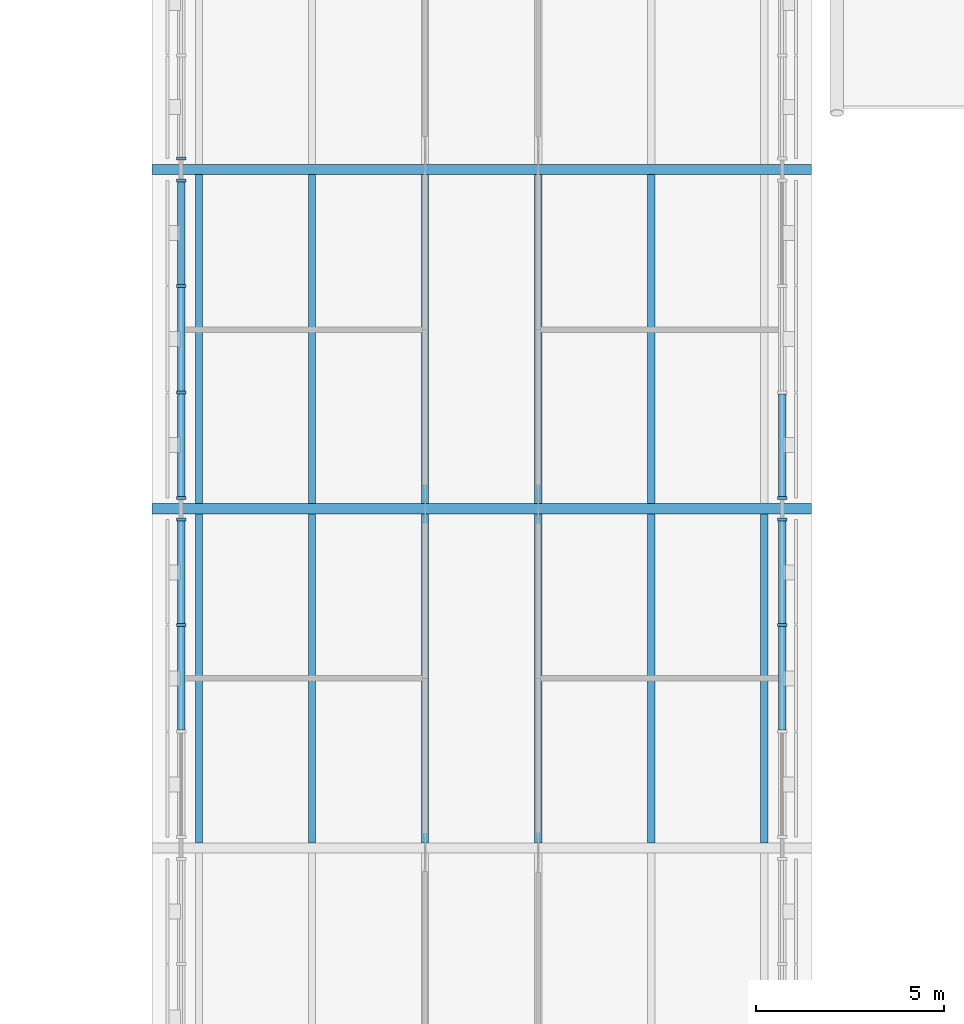
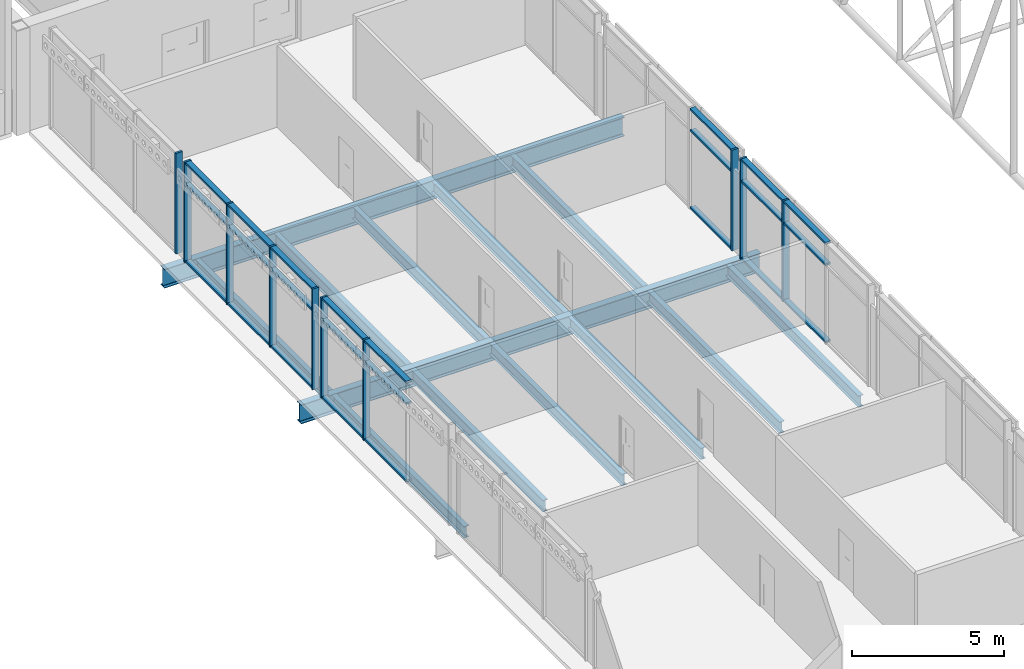
# One storey, part 27 of 153: 34 members, 13 beams, 5 elements without a shape of their own.
"""IFC4 building model written with IfcOpenShell, lengths in metres."""

from ifc_helpers import new_model, si_unit, direction, frame, origin, origin_2d, place, context, subcontext, project, spatial, rectangle, i_section, extrude, material, material_profile, profile_set, type_object, element, aggregate, save


model = new_model("IFC4")

# Units and contexts
model_context = context("Model", 3, precision=1e-05, world=origin(), true_north=direction((0.0, 1.0)))
body_context = subcontext(model_context, "Body", "Model", "MODEL_VIEW")
ifc_project = project(units=[si_unit("LENGTHUNIT", "METRE"), si_unit("AREAUNIT", "SQUARE_METRE"), si_unit("VOLUMEUNIT", "CUBIC_METRE"), si_unit("PLANEANGLEUNIT", "RADIAN"), si_unit("MASSUNIT", "GRAM", prefix="KILO")], contexts=[model_context])

# Site, building, storey
site_placement = place(None, origin())
site = spatial("IfcSite", under=ifc_project, at=site_placement, CompositionType="ELEMENT")
building_placement = place(site_placement, origin())
building = spatial("IfcBuilding", under=site, at=building_placement, Name="Baradari Gate Terminus", CompositionType="ELEMENT")
storey_placement = place(building_placement, frame((0.0, 0.0, 11.699951171875)))
storey = spatial("IfcBuildingStorey", under=building, at=storey_placement, Name="L02", CompositionType="ELEMENT", Elevation=11.699951171875)

# Curtain wall, members
ifc_material_1 = material(Name="Aluminium 6063-T6", Category="aluminium")
curtain_wall_type = type_object("IfcCurtainWallType", Name="Curtain wall CW-3 gate face, office floors", PredefinedType="NOTDEFINED", material=ifc_material_1)
curtain_wall_1_placement = place(storey_placement, origin())
curtain_wall_1 = element("IfcCurtainWall", 1, at=curtain_wall_1_placement, inside=storey, type_object=curtain_wall_type, Name="Curtain wall CW-3 gate west face L02 bay 3", PredefinedType="NOTDEFINED")
ifc_material_2 = material(Name="Aluminium 6063-T6", Category="aluminium")
ifc_material_profile_1 = material_profile(ifc_material_2, rectangle(XDim=0.25, YDim=0.080078125, at=origin_2d()), Name="CM-3 80X250")
ifc_profile_set_1 = profile_set([ifc_material_profile_1], Name="Aluminium 6063-T6")
member_type_1 = type_object("IfcMemberType", Name="Curtain wall mullion CM-3 80x250", PredefinedType="MULLION", material=ifc_profile_set_1)
member_1_placement = place(storey_placement, frame((73.02490234375, 59.916748046875, 0.0), z_axis=(0.0, 0.0, 1.0), x_axis=(-1.0, 0.0, 0.0)))
member_1 = element("IfcMember", 2, at=member_1_placement, type_object=member_type_1, Name="CW-3 mullion 3", PredefinedType="MULLION", context=body_context, shape_type="SweptSolid", body=[
    extrude(rectangle(XDim=0.25, YDim=0.080078125, at=origin_2d()), origin(), (0.0, 0.0, 1.0), 4.050048828125),
])
member_2_placement = place(storey_placement, frame((73.02490234375, 62.7099609375, 0.0), z_axis=(0.0, 0.0, 1.0), x_axis=(-1.0, 0.0, 0.0)))
member_2 = element("IfcMember", 3, at=member_2_placement, type_object=member_type_1, Name="CW-3 mullion 4", PredefinedType="MULLION", context=body_context, shape_type="SweptSolid", body=[
    extrude(rectangle(XDim=0.25, YDim=0.080078125, at=origin_2d()), origin(), (0.0, 0.0, 1.0), 4.050048828125),
])

curtain_wall_2_placement = place(storey_placement, origin())
curtain_wall_2 = element("IfcCurtainWall", 4, at=curtain_wall_2_placement, inside=storey, type_object=curtain_wall_type, Name="Curtain wall CW-3 gate west face L02 bay 4", PredefinedType="NOTDEFINED")
member_3_placement = place(storey_placement, frame((73.02490234375, 63.2900390625, 0.0), z_axis=(0.0, 0.0, 1.0), x_axis=(-1.0, 0.0, 0.0)))
member_3 = element("IfcMember", 5, at=member_3_placement, type_object=member_type_1, Name="CW-3 mullion 1", PredefinedType="MULLION", context=body_context, shape_type="SweptSolid", body=[
    extrude(rectangle(XDim=0.25, YDim=0.080078125, at=origin_2d()), origin(), (0.0, 0.0, 1.0), 4.050048828125),
])
member_4_placement = place(storey_placement, frame((73.02490234375, 66.083251953125, 0.0), z_axis=(0.0, 0.0, 1.0), x_axis=(-1.0, 0.0, 0.0)))
member_4 = element("IfcMember", 6, at=member_4_placement, type_object=member_type_1, Name="CW-3 mullion 2", PredefinedType="MULLION", context=body_context, shape_type="SweptSolid", body=[
    extrude(rectangle(XDim=0.25, YDim=0.080078125, at=origin_2d()), origin(), (0.0, 0.0, 1.0), 4.050048828125),
])
member_5_placement = place(storey_placement, frame((73.02490234375, 68.916748046875, 0.0), z_axis=(0.0, 0.0, 1.0), x_axis=(-1.0, 0.0, 0.0)))
member_5 = element("IfcMember", 7, at=member_5_placement, type_object=member_type_1, Name="CW-3 mullion 3", PredefinedType="MULLION", context=body_context, shape_type="SweptSolid", body=[
    extrude(rectangle(XDim=0.25, YDim=0.080078125, at=origin_2d()), origin(), (0.0, 0.0, 1.0), 4.050048828125),
])
member_6_placement = place(storey_placement, frame((73.02490234375, 71.7099609375, 0.0), z_axis=(0.0, 0.0, 1.0), x_axis=(-1.0, 0.0, 0.0)))
member_6 = element("IfcMember", 8, at=member_6_placement, type_object=member_type_1, Name="CW-3 mullion 4", PredefinedType="MULLION", context=body_context, shape_type="SweptSolid", body=[
    extrude(rectangle(XDim=0.25, YDim=0.080078125, at=origin_2d()), origin(), (0.0, 0.0, 1.0), 4.050048828125),
])

# Curtain wall, member
curtain_wall_3_placement = place(storey_placement, origin())
curtain_wall_3 = element("IfcCurtainWall", 9, at=curtain_wall_3_placement, inside=storey, type_object=curtain_wall_type, Name="Curtain wall CW-3 gate west face L02 bay 5", PredefinedType="NOTDEFINED")
member_7_placement = place(storey_placement, frame((73.02490234375, 72.2900390625, 0.0), z_axis=(0.0, 0.0, 1.0), x_axis=(-1.0, 0.0, 0.0)))
member_7 = element("IfcMember", 10, at=member_7_placement, type_object=member_type_1, Name="CW-3 mullion 1", PredefinedType="MULLION", context=body_context, shape_type="SweptSolid", body=[
    extrude(rectangle(XDim=0.25, YDim=0.080078125, at=origin_2d()), origin(), (0.0, 0.0, 1.0), 4.050048828125),
])
aggregate(curtain_wall_3, [member_7])

# Curtain wall, members
curtain_wall_4_placement = place(storey_placement, origin())
curtain_wall_4 = element("IfcCurtainWall", 11, at=curtain_wall_4_placement, inside=storey, type_object=curtain_wall_type, Name="Curtain wall CW-3 gate east face L02 bay 3", PredefinedType="NOTDEFINED")
member_8_placement = place(storey_placement, frame((88.97509765625, 59.916748046875, 0.0), z_axis=(0.0, 0.0, 1.0), x_axis=(-1.0, 0.0, 0.0)))
member_8 = element("IfcMember", 12, at=member_8_placement, type_object=member_type_1, Name="CW-3 mullion 3", PredefinedType="MULLION", context=body_context, shape_type="SweptSolid", body=[
    extrude(rectangle(XDim=0.25, YDim=0.080078125, at=origin_2d()), origin(), (0.0, 0.0, 1.0), 4.050048828125),
])
member_9_placement = place(storey_placement, frame((88.97509765625, 62.7099609375, 0.0), z_axis=(0.0, 0.0, 1.0), x_axis=(-1.0, 0.0, 0.0)))
member_9 = element("IfcMember", 13, at=member_9_placement, type_object=member_type_1, Name="CW-3 mullion 4", PredefinedType="MULLION", context=body_context, shape_type="SweptSolid", body=[
    extrude(rectangle(XDim=0.25, YDim=0.080078125, at=origin_2d()), origin(), (0.0, 0.0, 1.0), 4.050048828125),
])

# Curtain wall, member
curtain_wall_5_placement = place(storey_placement, origin())
curtain_wall_5 = element("IfcCurtainWall", 14, at=curtain_wall_5_placement, inside=storey, type_object=curtain_wall_type, Name="Curtain wall CW-3 gate east face L02 bay 4", PredefinedType="NOTDEFINED")
member_10_placement = place(storey_placement, frame((88.97509765625, 63.2900390625, 0.0), z_axis=(0.0, 0.0, 1.0), x_axis=(-1.0, 0.0, 0.0)))
member_10 = element("IfcMember", 15, at=member_10_placement, type_object=member_type_1, Name="CW-3 mullion 1", PredefinedType="MULLION", context=body_context, shape_type="SweptSolid", body=[
    extrude(rectangle(XDim=0.25, YDim=0.080078125, at=origin_2d()), origin(), (0.0, 0.0, 1.0), 4.050048828125),
])

# Member
ifc_material_3 = material(Name="Aluminium 6063-T6", Category="aluminium")
ifc_material_profile_2 = material_profile(ifc_material_3, rectangle(XDim=0.199951171875, YDim=0.080078125, at=origin_2d()), Name="CT-3 80X200")
ifc_profile_set_2 = profile_set([ifc_material_profile_2], Name="Aluminium 6063-T6")
member_type_2 = type_object("IfcMemberType", Name="Curtain wall transom CT-3 80x200", PredefinedType="USERDEFINED", material=ifc_profile_set_2)
member_11_placement = place(storey_placement, frame((73.02490234375, 57.123291015625, 0.0400390625), z_axis=(0.0, 1.0, 0.0), x_axis=(-1.0, 0.0, 0.0)))
member_11 = element("IfcMember", 16, at=member_11_placement, type_object=member_type_2, Name="CW-3 transom 2.1", ObjectType="TRANSOM", PredefinedType="USERDEFINED", context=body_context, shape_type="SweptSolid", body=[
    extrude(rectangle(XDim=0.199951171875, YDim=0.080078125, at=origin_2d()), origin(), (0.0, 0.0, 1.0), 2.75341796875),
])

member_12_placement = place(storey_placement, frame((73.02490234375, 57.123291015625, 3.150146484375), z_axis=(0.0, 1.0, 0.0), x_axis=(-1.0, 0.0, 0.0)))
member_12 = element("IfcMember", 17, at=member_12_placement, type_object=member_type_2, Name="CW-3 transom 2.2", ObjectType="TRANSOM", PredefinedType="USERDEFINED", context=body_context, shape_type="SweptSolid", body=[
    extrude(rectangle(XDim=0.199951171875, YDim=0.080078125, at=origin_2d()), origin(), (0.0, 0.0, 1.0), 2.75341796875),
])

member_13_placement = place(storey_placement, frame((73.02490234375, 57.123291015625, 4.010009765625), z_axis=(0.0, 1.0, 0.0), x_axis=(-1.0, 0.0, 0.0)))
member_13 = element("IfcMember", 18, at=member_13_placement, type_object=member_type_2, Name="CW-3 transom 2.3", ObjectType="TRANSOM", PredefinedType="USERDEFINED", context=body_context, shape_type="SweptSolid", body=[
    extrude(rectangle(XDim=0.199951171875, YDim=0.080078125, at=origin_2d()), origin(), (0.0, 0.0, 1.0), 2.75341796875),
])

member_14_placement = place(storey_placement, frame((73.02490234375, 59.956787109375, 0.0400390625), z_axis=(0.0, 1.0, 0.0), x_axis=(-1.0, 0.0, 0.0)))
member_14 = element("IfcMember", 19, at=member_14_placement, type_object=member_type_2, Name="CW-3 transom 3.1", ObjectType="TRANSOM", PredefinedType="USERDEFINED", context=body_context, shape_type="SweptSolid", body=[
    extrude(rectangle(XDim=0.199951171875, YDim=0.080078125, at=origin_2d()), origin(), (0.0, 0.0, 1.0), 2.713134765625),
])

member_15_placement = place(storey_placement, frame((73.02490234375, 59.956787109375, 3.150146484375), z_axis=(0.0, 1.0, 0.0), x_axis=(-1.0, 0.0, 0.0)))
member_15 = element("IfcMember", 20, at=member_15_placement, type_object=member_type_2, Name="CW-3 transom 3.2", ObjectType="TRANSOM", PredefinedType="USERDEFINED", context=body_context, shape_type="SweptSolid", body=[
    extrude(rectangle(XDim=0.199951171875, YDim=0.080078125, at=origin_2d()), origin(), (0.0, 0.0, 1.0), 2.713134765625),
])

member_16_placement = place(storey_placement, frame((73.02490234375, 59.956787109375, 4.010009765625), z_axis=(0.0, 1.0, 0.0), x_axis=(-1.0, 0.0, 0.0)))
member_16 = element("IfcMember", 21, at=member_16_placement, type_object=member_type_2, Name="CW-3 transom 3.3", ObjectType="TRANSOM", PredefinedType="USERDEFINED", context=body_context, shape_type="SweptSolid", body=[
    extrude(rectangle(XDim=0.199951171875, YDim=0.080078125, at=origin_2d()), origin(), (0.0, 0.0, 1.0), 2.713134765625),
])

aggregate(curtain_wall_1, [member_1, member_2, member_11, member_12, member_13, member_14, member_15, member_16])

member_17_placement = place(storey_placement, frame((73.02490234375, 63.330078125, 0.0400390625), z_axis=(0.0, 1.0, 0.0), x_axis=(-1.0, 0.0, 0.0)))
member_17 = element("IfcMember", 22, at=member_17_placement, type_object=member_type_2, Name="CW-3 transom 1.1", ObjectType="TRANSOM", PredefinedType="USERDEFINED", context=body_context, shape_type="SweptSolid", body=[
    extrude(rectangle(XDim=0.199951171875, YDim=0.080078125, at=origin_2d()), origin(), (0.0, 0.0, 1.0), 2.713134765625),
])

member_18_placement = place(storey_placement, frame((73.02490234375, 63.330078125, 3.150146484375), z_axis=(0.0, 1.0, 0.0), x_axis=(-1.0, 0.0, 0.0)))
member_18 = element("IfcMember", 23, at=member_18_placement, type_object=member_type_2, Name="CW-3 transom 1.2", ObjectType="TRANSOM", PredefinedType="USERDEFINED", context=body_context, shape_type="SweptSolid", body=[
    extrude(rectangle(XDim=0.199951171875, YDim=0.080078125, at=origin_2d()), origin(), (0.0, 0.0, 1.0), 2.713134765625),
])

member_19_placement = place(storey_placement, frame((73.02490234375, 63.330078125, 4.010009765625), z_axis=(0.0, 1.0, 0.0), x_axis=(-1.0, 0.0, 0.0)))
member_19 = element("IfcMember", 24, at=member_19_placement, type_object=member_type_2, Name="CW-3 transom 1.3", ObjectType="TRANSOM", PredefinedType="USERDEFINED", context=body_context, shape_type="SweptSolid", body=[
    extrude(rectangle(XDim=0.199951171875, YDim=0.080078125, at=origin_2d()), origin(), (0.0, 0.0, 1.0), 2.713134765625),
])

member_20_placement = place(storey_placement, frame((73.02490234375, 66.123291015625, 0.0400390625), z_axis=(0.0, 1.0, 0.0), x_axis=(-1.0, 0.0, 0.0)))
member_20 = element("IfcMember", 25, at=member_20_placement, type_object=member_type_2, Name="CW-3 transom 2.1", ObjectType="TRANSOM", PredefinedType="USERDEFINED", context=body_context, shape_type="SweptSolid", body=[
    extrude(rectangle(XDim=0.199951171875, YDim=0.080078125, at=origin_2d()), origin(), (0.0, 0.0, 1.0), 2.75341796875),
])

member_21_placement = place(storey_placement, frame((73.02490234375, 66.123291015625, 3.150146484375), z_axis=(0.0, 1.0, 0.0), x_axis=(-1.0, 0.0, 0.0)))
member_21 = element("IfcMember", 26, at=member_21_placement, type_object=member_type_2, Name="CW-3 transom 2.2", ObjectType="TRANSOM", PredefinedType="USERDEFINED", context=body_context, shape_type="SweptSolid", body=[
    extrude(rectangle(XDim=0.199951171875, YDim=0.080078125, at=origin_2d()), origin(), (0.0, 0.0, 1.0), 2.75341796875),
])

member_22_placement = place(storey_placement, frame((73.02490234375, 66.123291015625, 4.010009765625), z_axis=(0.0, 1.0, 0.0), x_axis=(-1.0, 0.0, 0.0)))
member_22 = element("IfcMember", 27, at=member_22_placement, type_object=member_type_2, Name="CW-3 transom 2.3", ObjectType="TRANSOM", PredefinedType="USERDEFINED", context=body_context, shape_type="SweptSolid", body=[
    extrude(rectangle(XDim=0.199951171875, YDim=0.080078125, at=origin_2d()), origin(), (0.0, 0.0, 1.0), 2.75341796875),
])

member_23_placement = place(storey_placement, frame((73.02490234375, 68.956787109375, 0.0400390625), z_axis=(0.0, 1.0, 0.0), x_axis=(-1.0, 0.0, 0.0)))
member_23 = element("IfcMember", 28, at=member_23_placement, type_object=member_type_2, Name="CW-3 transom 3.1", ObjectType="TRANSOM", PredefinedType="USERDEFINED", context=body_context, shape_type="SweptSolid", body=[
    extrude(rectangle(XDim=0.199951171875, YDim=0.080078125, at=origin_2d()), origin(), (0.0, 0.0, 1.0), 2.713134765625),
])

member_24_placement = place(storey_placement, frame((73.02490234375, 68.956787109375, 3.150146484375), z_axis=(0.0, 1.0, 0.0), x_axis=(-1.0, 0.0, 0.0)))
member_24 = element("IfcMember", 29, at=member_24_placement, type_object=member_type_2, Name="CW-3 transom 3.2", ObjectType="TRANSOM", PredefinedType="USERDEFINED", context=body_context, shape_type="SweptSolid", body=[
    extrude(rectangle(XDim=0.199951171875, YDim=0.080078125, at=origin_2d()), origin(), (0.0, 0.0, 1.0), 2.713134765625),
])

member_25_placement = place(storey_placement, frame((73.02490234375, 68.956787109375, 4.010009765625), z_axis=(0.0, 1.0, 0.0), x_axis=(-1.0, 0.0, 0.0)))
member_25 = element("IfcMember", 30, at=member_25_placement, type_object=member_type_2, Name="CW-3 transom 3.3", ObjectType="TRANSOM", PredefinedType="USERDEFINED", context=body_context, shape_type="SweptSolid", body=[
    extrude(rectangle(XDim=0.199951171875, YDim=0.080078125, at=origin_2d()), origin(), (0.0, 0.0, 1.0), 2.713134765625),
])

aggregate(curtain_wall_2, [member_3, member_4, member_5, member_6, member_17, member_18, member_19, member_20, member_21, member_22, member_23, member_24, member_25])

member_26_placement = place(storey_placement, frame((88.97509765625, 57.123291015625, 0.0400390625), z_axis=(0.0, 1.0, 0.0), x_axis=(-1.0, 0.0, 0.0)))
member_26 = element("IfcMember", 31, at=member_26_placement, type_object=member_type_2, Name="CW-3 transom 2.1", ObjectType="TRANSOM", PredefinedType="USERDEFINED", context=body_context, shape_type="SweptSolid", body=[
    extrude(rectangle(XDim=0.199951171875, YDim=0.080078125, at=origin_2d()), origin(), (0.0, 0.0, 1.0), 2.75341796875),
])

member_27_placement = place(storey_placement, frame((88.97509765625, 57.123291015625, 3.150146484375), z_axis=(0.0, 1.0, 0.0), x_axis=(-1.0, 0.0, 0.0)))
member_27 = element("IfcMember", 32, at=member_27_placement, type_object=member_type_2, Name="CW-3 transom 2.2", ObjectType="TRANSOM", PredefinedType="USERDEFINED", context=body_context, shape_type="SweptSolid", body=[
    extrude(rectangle(XDim=0.199951171875, YDim=0.080078125, at=origin_2d()), origin(), (0.0, 0.0, 1.0), 2.75341796875),
])

member_28_placement = place(storey_placement, frame((88.97509765625, 57.123291015625, 4.010009765625), z_axis=(0.0, 1.0, 0.0), x_axis=(-1.0, 0.0, 0.0)))
member_28 = element("IfcMember", 33, at=member_28_placement, type_object=member_type_2, Name="CW-3 transom 2.3", ObjectType="TRANSOM", PredefinedType="USERDEFINED", context=body_context, shape_type="SweptSolid", body=[
    extrude(rectangle(XDim=0.199951171875, YDim=0.080078125, at=origin_2d()), origin(), (0.0, 0.0, 1.0), 2.75341796875),
])

member_29_placement = place(storey_placement, frame((88.97509765625, 59.956787109375, 0.0400390625), z_axis=(0.0, 1.0, 0.0), x_axis=(-1.0, 0.0, 0.0)))
member_29 = element("IfcMember", 34, at=member_29_placement, type_object=member_type_2, Name="CW-3 transom 3.1", ObjectType="TRANSOM", PredefinedType="USERDEFINED", context=body_context, shape_type="SweptSolid", body=[
    extrude(rectangle(XDim=0.199951171875, YDim=0.080078125, at=origin_2d()), origin(), (0.0, 0.0, 1.0), 2.713134765625),
])

member_30_placement = place(storey_placement, frame((88.97509765625, 59.956787109375, 3.150146484375), z_axis=(0.0, 1.0, 0.0), x_axis=(-1.0, 0.0, 0.0)))
member_30 = element("IfcMember", 35, at=member_30_placement, type_object=member_type_2, Name="CW-3 transom 3.2", ObjectType="TRANSOM", PredefinedType="USERDEFINED", context=body_context, shape_type="SweptSolid", body=[
    extrude(rectangle(XDim=0.199951171875, YDim=0.080078125, at=origin_2d()), origin(), (0.0, 0.0, 1.0), 2.713134765625),
])

member_31_placement = place(storey_placement, frame((88.97509765625, 59.956787109375, 4.010009765625), z_axis=(0.0, 1.0, 0.0), x_axis=(-1.0, 0.0, 0.0)))
member_31 = element("IfcMember", 36, at=member_31_placement, type_object=member_type_2, Name="CW-3 transom 3.3", ObjectType="TRANSOM", PredefinedType="USERDEFINED", context=body_context, shape_type="SweptSolid", body=[
    extrude(rectangle(XDim=0.199951171875, YDim=0.080078125, at=origin_2d()), origin(), (0.0, 0.0, 1.0), 2.713134765625),
])

aggregate(curtain_wall_4, [member_8, member_9, member_26, member_27, member_28, member_29, member_30, member_31])

member_32_placement = place(storey_placement, frame((88.97509765625, 63.330078125, 0.0400390625), z_axis=(0.0, 1.0, 0.0), x_axis=(-1.0, 0.0, 0.0)))
member_32 = element("IfcMember", 37, at=member_32_placement, type_object=member_type_2, Name="CW-3 transom 1.1", ObjectType="TRANSOM", PredefinedType="USERDEFINED", context=body_context, shape_type="SweptSolid", body=[
    extrude(rectangle(XDim=0.199951171875, YDim=0.080078125, at=origin_2d()), origin(), (0.0, 0.0, 1.0), 2.713134765625),
])

member_33_placement = place(storey_placement, frame((88.97509765625, 63.330078125, 3.150146484375), z_axis=(0.0, 1.0, 0.0), x_axis=(-1.0, 0.0, 0.0)))
member_33 = element("IfcMember", 38, at=member_33_placement, type_object=member_type_2, Name="CW-3 transom 1.2", ObjectType="TRANSOM", PredefinedType="USERDEFINED", context=body_context, shape_type="SweptSolid", body=[
    extrude(rectangle(XDim=0.199951171875, YDim=0.080078125, at=origin_2d()), origin(), (0.0, 0.0, 1.0), 2.713134765625),
])

member_34_placement = place(storey_placement, frame((88.97509765625, 63.330078125, 4.010009765625), z_axis=(0.0, 1.0, 0.0), x_axis=(-1.0, 0.0, 0.0)))
member_34 = element("IfcMember", 39, at=member_34_placement, type_object=member_type_2, Name="CW-3 transom 1.3", ObjectType="TRANSOM", PredefinedType="USERDEFINED", context=body_context, shape_type="SweptSolid", body=[
    extrude(rectangle(XDim=0.199951171875, YDim=0.080078125, at=origin_2d()), origin(), (0.0, 0.0, 1.0), 2.713134765625),
])

aggregate(curtain_wall_5, [member_10, member_32, member_33, member_34])

# Beams
ifc_material_4 = material(Name="Steel S355", Category="steel")
ifc_material_profile_3 = material_profile(ifc_material_4, i_section(OverallWidth=0.2666015625, OverallDepth=0.76220703125, WebThickness=0.014404296875, FlangeThickness=0.021484375, FilletRadius=0.0166015625, at=origin_2d()), Name="UB 762x267x173")
ifc_profile_set_3 = profile_set([ifc_material_profile_3], Name="Steel S355")
beam_type_1 = type_object("IfcBeamType", Name="Gate girder B30 UB 762x267x173", PredefinedType="BEAM", material=ifc_profile_set_3)
for number, where, z_axis, x_axis, name in (
    (40, (72.25, 63.0, -0.531005859375), (1.0, 0.0, 0.0), (0.0, 1.0, 0.0), "Gate girder B30 H:72.25-89.75 L02"),
    (41, (72.25, 72.0, -0.531005859375), (1.0, 0.0, 0.0), (0.0, 1.0, 0.0), "Gate girder B30 J:72.25-89.75 L02"),
):
    element("IfcBeam", number, at=place(storey_placement, frame(where, z_axis=z_axis, x_axis=x_axis)), inside=storey, type_object=beam_type_1, Name=name, PredefinedType="BEAM", context=body_context, shape_type="SweptSolid", body=[
        extrude(i_section(OverallWidth=0.2666015625, OverallDepth=0.76220703125, WebThickness=0.014404296875, FlangeThickness=0.021484375, FilletRadius=0.0166015625, at=origin_2d()), origin(), (0.0, 0.0, 1.0), 17.5),
    ])
ifc_material_5 = material(Name="Steel S355", Category="steel")
ifc_material_profile_4 = material_profile(ifc_material_5, i_section(OverallWidth=0.19140625, OverallDepth=0.4599609375, WebThickness=0.010009765625, FlangeThickness=0.01611328125, FilletRadius=0.01025390625, at=origin_2d()), Name="UB 457x191x82")
ifc_profile_set_4 = profile_set([ifc_material_profile_4], Name="Steel S355")
beam_type_2 = type_object("IfcBeamType", Name="Gate secondary beam B31 UB 457x191x82", PredefinedType="BEAM", material=ifc_profile_set_4)
for number, where, z_axis, x_axis, name in (
    (42, (73.5, 54.13330078125, -0.3798828125), (0.0, 1.0, 0.0), (-1.0, 0.0, 0.0), "Gate secondary beam B31 73.5:54.133-62.867 L02"),
    (43, (73.5, 63.13330078125, -0.3798828125), (0.0, 1.0, 0.0), (-1.0, 0.0, 0.0), "Gate secondary beam B31 73.5:63.133-71.867 L02"),
    (44, (76.5, 54.13330078125, -0.3798828125), (0.0, 1.0, 0.0), (-1.0, 0.0, 0.0), "Gate secondary beam B31 76.5:54.133-62.867 L02"),
    (45, (76.5, 63.13330078125, -0.3798828125), (0.0, 1.0, 0.0), (-1.0, 0.0, 0.0), "Gate secondary beam B31 76.5:63.133-71.867 L02"),
    (46, (79.5, 54.13330078125, -0.3798828125), (0.0, 1.0, 0.0), (-1.0, 0.0, 0.0), "Gate secondary beam B31 79.5:54.133-62.867 L02"),
    (47, (79.5, 63.13330078125, -0.3798828125), (0.0, 1.0, 0.0), (-1.0, 0.0, 0.0), "Gate secondary beam B31 79.5:63.133-71.867 L02"),
    (48, (82.5, 54.13330078125, -0.3798828125), (0.0, 1.0, 0.0), (-1.0, 0.0, 0.0), "Gate secondary beam B31 82.5:54.133-62.867 L02"),
    (49, (82.5, 63.13330078125, -0.3798828125), (0.0, 1.0, 0.0), (-1.0, 0.0, 0.0), "Gate secondary beam B31 82.5:63.133-71.867 L02"),
    (50, (85.5, 54.13330078125, -0.3798828125), (0.0, 1.0, 0.0), (-1.0, 0.0, 0.0), "Gate secondary beam B31 85.5:54.133-62.867 L02"),
    (51, (85.5, 63.13330078125, -0.3798828125), (0.0, 1.0, 0.0), (-1.0, 0.0, 0.0), "Gate secondary beam B31 85.5:63.133-71.867 L02"),
    (52, (88.5, 54.13330078125, -0.3798828125), (0.0, 1.0, 0.0), (-1.0, 0.0, 0.0), "Gate secondary beam B31 88.5:54.133-62.867 L02"),
):
    element("IfcBeam", number, at=place(storey_placement, frame(where, z_axis=z_axis, x_axis=x_axis)), inside=storey, type_object=beam_type_2, Name=name, PredefinedType="BEAM", context=body_context, shape_type="SweptSolid", body=[
        extrude(i_section(OverallWidth=0.19140625, OverallDepth=0.4599609375, WebThickness=0.010009765625, FlangeThickness=0.01611328125, FilletRadius=0.01025390625, at=origin_2d()), origin(), (0.0, 0.0, 1.0), 8.7333984375),
    ])

save(model, "model.ifc")
